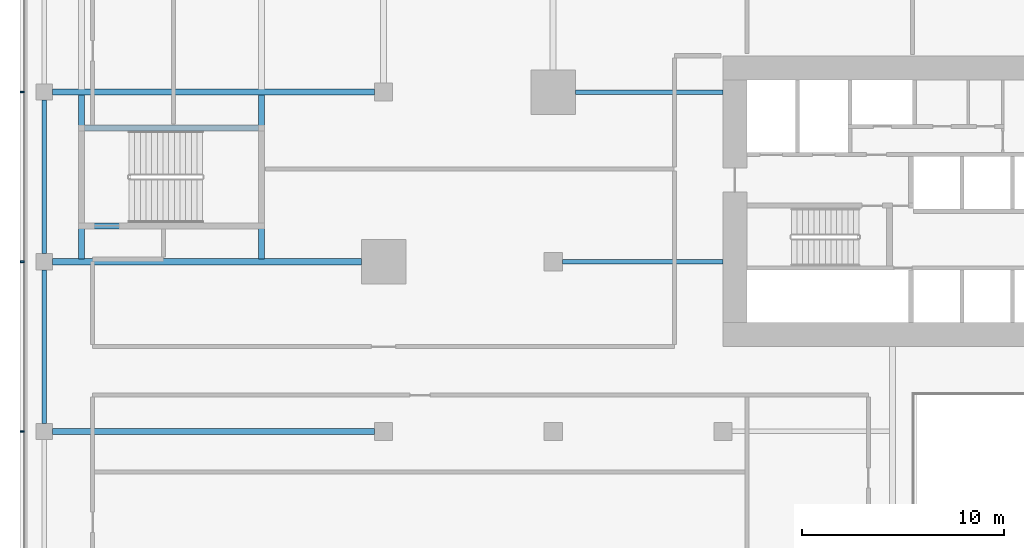
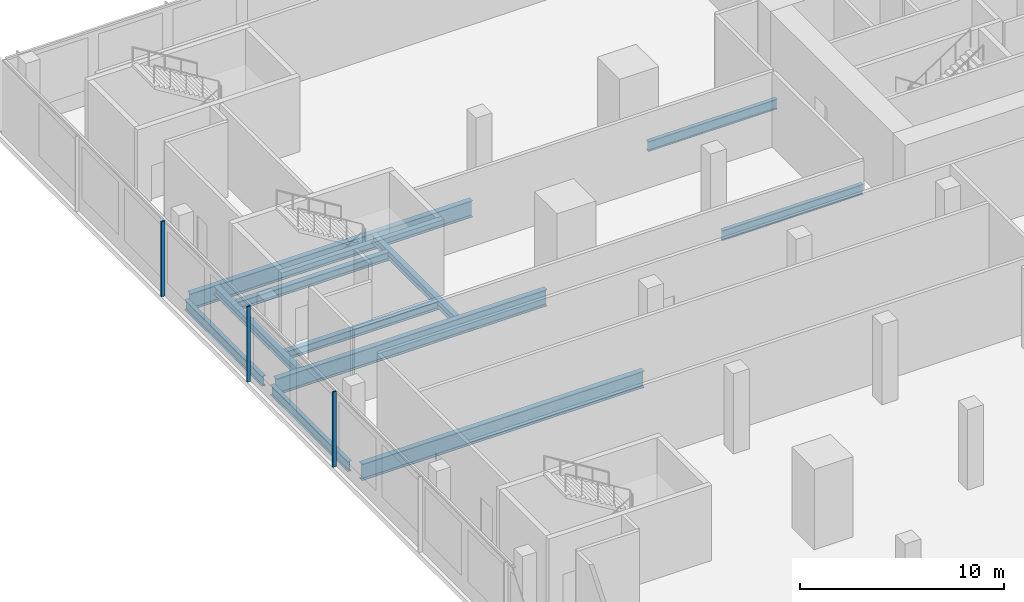
# One storey, part 9 of 39: 11 beams, 3 members, 1 element without a shape of its own.
"""IFC4 building model written with IfcOpenShell, lengths in metres."""

from ifc_helpers import new_model, si_unit, direction, frame, origin, origin_2d, place, context, subcontext, project, spatial, rectangle, i_section, extrude, material, material_profile, profile_set, type_object, element, aggregate, save


model = new_model("IFC4")

# Units and contexts
model_context = context("Model", 3, precision=1e-05, world=origin(), true_north=direction((0.0, 1.0)))
body_context = subcontext(model_context, "Body", "Model", "MODEL_VIEW")
ifc_project = project(units=[si_unit("LENGTHUNIT", "METRE"), si_unit("AREAUNIT", "SQUARE_METRE"), si_unit("VOLUMEUNIT", "CUBIC_METRE"), si_unit("PLANEANGLEUNIT", "RADIAN"), si_unit("MASSUNIT", "GRAM", prefix="KILO")], contexts=[model_context])

# Site, building, storey
site_placement = place(None, origin())
site = spatial("IfcSite", under=ifc_project, at=site_placement, CompositionType="ELEMENT")
building_placement = place(site_placement, origin())
building = spatial("IfcBuilding", under=site, at=building_placement, Name="Saffron Gate Tower", CompositionType="ELEMENT")
storey_placement = place(building_placement, frame((0.0, 0.0, 14.39990234375)))
storey = spatial("IfcBuildingStorey", under=building, at=storey_placement, Name="L02", CompositionType="ELEMENT", Elevation=14.39990234375)

# Beams
ifc_material_1 = material(Name="Structural steel S355", Category="steel")
ifc_material_profile_1 = material_profile(ifc_material_1, i_section(OverallWidth=0.219970703125, OverallDepth=0.60009765625, WebThickness=0.011962890625, FlangeThickness=0.01904296875, FilletRadius=0.02392578125, at=origin_2d()))
ifc_profile_set_1 = profile_set([ifc_material_profile_1], Name="Structural steel S355")
beam_type_1 = type_object("IfcBeamType", Name="B15 IPE 600", PredefinedType="BEAM", material=ifc_profile_set_1)
beam_1_placement = place(storey_placement, frame((58.64990234375, 65.39990234375, -0.599853515625), z_axis=(1.0, 0.0, 0.0), x_axis=(0.0, 1.0, 0.0)))
element("IfcBeam", 1, at=beam_1_placement, inside=storey, type_object=beam_type_1, Name="B15 CORE TIE BEAM", PredefinedType="BEAM", context=body_context, shape_type="SweptSolid", body=[
    extrude(i_section(OverallWidth=0.219970703125, OverallDepth=0.60009765625, WebThickness=0.011962890625, FlangeThickness=0.01904296875, FilletRadius=0.02392578125, at=origin_2d()), origin(), (0.0, 0.0, 1.0), 7.9501953125),
])
beam_2_placement = place(storey_placement, frame((59.300048828125, 73.800048828125, -0.599853515625), z_axis=(1.0, 0.0, 0.0), x_axis=(0.0, 1.0, 0.0)))
element("IfcBeam", 2, at=beam_2_placement, inside=storey, type_object=beam_type_1, Name="B15 CORE TIE BEAM", PredefinedType="BEAM", context=body_context, shape_type="SweptSolid", body=[
    extrude(i_section(OverallWidth=0.219970703125, OverallDepth=0.60009765625, WebThickness=0.011962890625, FlangeThickness=0.01904296875, FilletRadius=0.02392578125, at=origin_2d()), origin(), (0.0, 0.0, 1.0), 7.300048828125),
])
beam_3_placement = place(storey_placement, frame((33.0, 57.39990234375, -0.599853515625), z_axis=(0.0, 1.0, 0.0), x_axis=(-1.0, 0.0, 0.0)))
element("IfcBeam", 3, at=beam_3_placement, inside=storey, type_object=beam_type_1, Name="B15 PODIUM EDGE BEAM", PredefinedType="BEAM", context=body_context, shape_type="SweptSolid", body=[
    extrude(i_section(OverallWidth=0.219970703125, OverallDepth=0.60009765625, WebThickness=0.011962890625, FlangeThickness=0.01904296875, FilletRadius=0.02392578125, at=origin_2d()), origin(), (0.0, 0.0, 1.0), 7.60009765625),
])
beam_4_placement = place(storey_placement, frame((33.0, 65.800048828125, -0.599853515625), z_axis=(0.0, 1.0, 0.0), x_axis=(-1.0, 0.0, 0.0)))
element("IfcBeam", 4, at=beam_4_placement, inside=storey, type_object=beam_type_1, Name="B15 PODIUM EDGE BEAM", PredefinedType="BEAM", context=body_context, shape_type="SweptSolid", body=[
    extrude(i_section(OverallWidth=0.219970703125, OverallDepth=0.60009765625, WebThickness=0.011962890625, FlangeThickness=0.01904296875, FilletRadius=0.02392578125, at=origin_2d()), origin(), (0.0, 0.0, 1.0), 7.599853515625),
])
ifc_material_profile_2 = material_profile(ifc_material_1, i_section(OverallWidth=0.300048828125, OverallDepth=0.989990234375, WebThickness=0.0166015625, FlangeThickness=0.031005859375, FilletRadius=0.030029296875, at=origin_2d()))
ifc_profile_set_2 = profile_set([ifc_material_profile_2], Name="Structural steel S355")
beam_type_2 = type_object("IfcBeamType", Name="B21 HEA 1000", PredefinedType="BEAM", material=ifc_profile_set_2)
beam_5_placement = place(storey_placement, frame((33.39990234375, 57.0, -0.794921875), z_axis=(1.0, 0.0, 0.0), x_axis=(0.0, 1.0, 0.0)))
element("IfcBeam", 5, at=beam_5_placement, inside=storey, type_object=beam_type_2, Name="B21 PODIUM RING GIRDER", PredefinedType="BEAM", context=body_context, shape_type="SweptSolid", body=[
    extrude(i_section(OverallWidth=0.300048828125, OverallDepth=0.989990234375, WebThickness=0.0166015625, FlangeThickness=0.031005859375, FilletRadius=0.030029296875, at=origin_2d()), origin(), (0.0, 0.0, 1.0), 15.9501953125),
])
beam_6_placement = place(storey_placement, frame((33.39990234375, 65.39990234375, -0.794921875), z_axis=(1.0, 0.0, 0.0), x_axis=(0.0, 1.0, 0.0)))
element("IfcBeam", 6, at=beam_6_placement, inside=storey, type_object=beam_type_2, Name="B21 PODIUM RING GIRDER", PredefinedType="BEAM", context=body_context, shape_type="SweptSolid", body=[
    extrude(i_section(OverallWidth=0.300048828125, OverallDepth=0.989990234375, WebThickness=0.0166015625, FlangeThickness=0.031005859375, FilletRadius=0.030029296875, at=origin_2d()), origin(), (0.0, 0.0, 1.0), 15.300048828125),
])
beam_7_placement = place(storey_placement, frame((33.39990234375, 73.800048828125, -0.794921875), z_axis=(1.0, 0.0, 0.0), x_axis=(0.0, 1.0, 0.0)))
element("IfcBeam", 7, at=beam_7_placement, inside=storey, type_object=beam_type_2, Name="B21 PODIUM RING GIRDER", PredefinedType="BEAM", context=body_context, shape_type="SweptSolid", body=[
    extrude(i_section(OverallWidth=0.300048828125, OverallDepth=0.989990234375, WebThickness=0.0166015625, FlangeThickness=0.031005859375, FilletRadius=0.030029296875, at=origin_2d()), origin(), (0.0, 0.0, 1.0), 15.9501953125),
])
ifc_material_profile_3 = material_profile(ifc_material_1, i_section(OverallWidth=0.300048828125, OverallDepth=0.5, WebThickness=0.014404296875, FlangeThickness=0.028076171875, FilletRadius=0.027099609375, at=origin_2d()))
ifc_profile_set_3 = profile_set([ifc_material_profile_3], Name="Structural steel S355")
beam_type_3 = type_object("IfcBeamType", Name="B9 HEB 500", PredefinedType="BEAM", material=ifc_profile_set_3)
for number, where, z_axis, x_axis, name in (
    (8, (34.85009765625, 65.5400390625, -0.5498046875), (0.0, 1.0, 0.0), (-1.0, 0.0, 0.0), "B9 STAIR ENCLOSURE HEADER BEAM"),
    (9, (43.75, 65.5400390625, -0.5498046875), (0.0, 1.0, 0.0), (-1.0, 0.0, 0.0), "B9 STAIR ENCLOSURE HEADER BEAM"),
):
    element("IfcBeam", number, at=place(storey_placement, frame(where, z_axis=z_axis, x_axis=x_axis)), inside=storey, type_object=beam_type_3, Name=name, PredefinedType="BEAM", context=body_context, shape_type="SweptSolid", body=[
        extrude(i_section(OverallWidth=0.300048828125, OverallDepth=0.5, WebThickness=0.014404296875, FlangeThickness=0.028076171875, FilletRadius=0.027099609375, at=origin_2d()), origin(), (0.0, 0.0, 1.0), 8.119873046875),
    ])
for number, where, z_axis, x_axis, name in (
    (10, (34.989990234375, 67.175048828125, -0.5498046875), (1.0, 0.0, 0.0), (0.0, 1.0, 0.0), "B9 STAIR ENCLOSURE TRIMMER BEAM"),
    (11, (34.989990234375, 72.02490234375, -0.5498046875), (1.0, 0.0, 0.0), (0.0, 1.0, 0.0), "B9 STAIR ENCLOSURE TRIMMER BEAM"),
):
    element("IfcBeam", number, at=place(storey_placement, frame(where, z_axis=z_axis, x_axis=x_axis)), inside=storey, type_object=beam_type_3, Name=name, PredefinedType="BEAM", context=body_context, shape_type="SweptSolid", body=[
        extrude(i_section(OverallWidth=0.300048828125, OverallDepth=0.5, WebThickness=0.014404296875, FlangeThickness=0.028076171875, FilletRadius=0.027099609375, at=origin_2d()), origin(), (0.0, 0.0, 1.0), 8.6201171875),
    ])

# Curtain wall, members
ifc_material_2 = material(Name="Aluminium, bronze anodised", Category="aluminium")
curtain_wall_type = type_object("IfcCurtainWallType", Name="CWS5 curtain wall podium ring base", PredefinedType="NOTDEFINED", material=ifc_material_2)
curtain_wall_placement = place(storey_placement, origin())
curtain_wall = element("IfcCurtainWall", 12, at=curtain_wall_placement, inside=storey, type_object=curtain_wall_type, Name="CWS5 run 4", PredefinedType="NOTDEFINED")
ifc_material_profile_4 = material_profile(ifc_material_2, rectangle(XDim=0.199951171875, YDim=0.080078125, at=origin_2d()))
ifc_profile_set_4 = profile_set([ifc_material_profile_4], Name="Aluminium, bronze anodised")
member_type = type_object("IfcMemberType", Name="CWS5 mullion 80x200", PredefinedType="MULLION", material=ifc_profile_set_4)
member_1_placement = place(storey_placement, frame((31.89990234375, 73.800048828125, 0.0), z_axis=(0.0, 0.0, 1.0), x_axis=(1.0, 0.0, 0.0)))
member_1 = element("IfcMember", 13, at=member_1_placement, type_object=member_type, Name="CWS5 mullion 3", PredefinedType="MULLION", context=body_context, shape_type="SweptSolid", body=[
    extrude(rectangle(XDim=0.199951171875, YDim=0.080078125, at=origin_2d()), origin(), (0.0, 0.0, 1.0), 4.5),
])
member_2_placement = place(storey_placement, frame((31.89990234375, 65.39990234375, 0.0), z_axis=(0.0, 0.0, 1.0), x_axis=(1.0, 0.0, 0.0)))
member_2 = element("IfcMember", 14, at=member_2_placement, type_object=member_type, Name="CWS5 mullion 4", PredefinedType="MULLION", context=body_context, shape_type="SweptSolid", body=[
    extrude(rectangle(XDim=0.199951171875, YDim=0.080078125, at=origin_2d()), origin(), (0.0, 0.0, 1.0), 4.5),
])
member_3_placement = place(storey_placement, frame((31.89990234375, 57.0, 0.0), z_axis=(0.0, 0.0, 1.0), x_axis=(1.0, 0.0, 0.0)))
member_3 = element("IfcMember", 15, at=member_3_placement, type_object=member_type, Name="CWS5 mullion 5", PredefinedType="MULLION", context=body_context, shape_type="SweptSolid", body=[
    extrude(rectangle(XDim=0.199951171875, YDim=0.080078125, at=origin_2d()), origin(), (0.0, 0.0, 1.0), 4.5),
])
aggregate(curtain_wall, [member_1, member_2, member_3])

save(model, "model.ifc")
